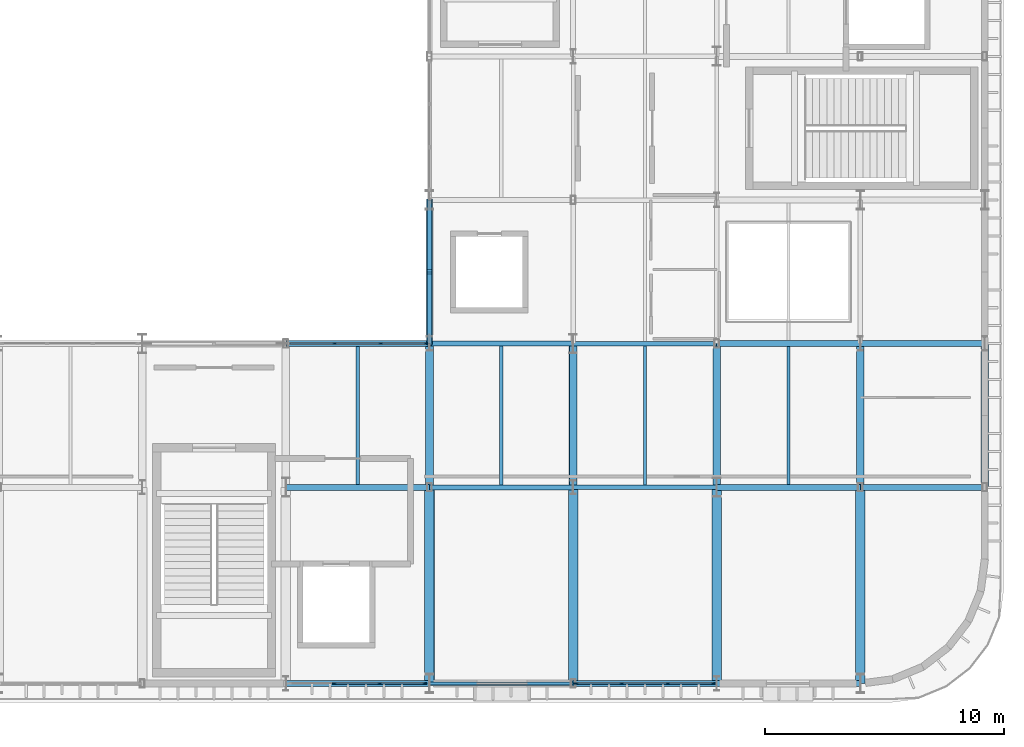
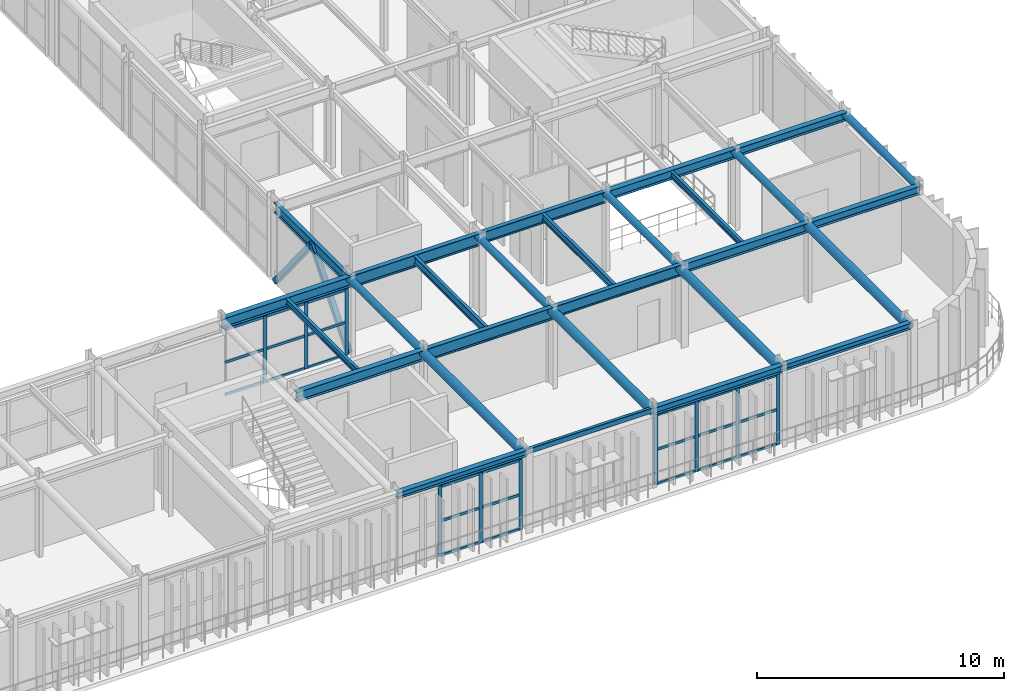
# One storey, part 72 of 116: 36 members, 28 beams, 3 elements without a shape of their own.
"""IFC4 building model written with IfcOpenShell, lengths in metres."""

from ifc_helpers import new_model, si_unit, direction, frame, origin, origin_2d, place, context, subcontext, project, spatial, rectangle, hollow_rectangle, hollow_circle, i_section, extrude, material, material_profile, profile_set, type_object, element, aggregate, save


model = new_model("IFC4")

# Units and contexts
model_context = context("Model", 3, precision=1e-05, world=origin(), true_north=direction((0.0, 1.0)))
body_context = subcontext(model_context, "Body", "Model", "MODEL_VIEW")
ifc_project = project(units=[si_unit("LENGTHUNIT", "METRE"), si_unit("AREAUNIT", "SQUARE_METRE"), si_unit("VOLUMEUNIT", "CUBIC_METRE"), si_unit("PLANEANGLEUNIT", "RADIAN"), si_unit("MASSUNIT", "GRAM", prefix="KILO")], contexts=[model_context])

# Site, building, storey
site_placement = place(None, origin())
site = spatial("IfcSite", under=ifc_project, at=site_placement, CompositionType="ELEMENT")
building_placement = place(site_placement, origin())
building = spatial("IfcBuilding", under=site, at=building_placement, Name="Varnakota Square Police Headquarters", CompositionType="ELEMENT")
storey_placement = place(building_placement, frame((0.0, 0.0, 9.300048828125)))
storey = spatial("IfcBuildingStorey", under=building, at=storey_placement, Name="L02", CompositionType="ELEMENT", Elevation=9.300048828125)

# Beams
ifc_material_1 = material(Name="Steel IS 2062 Grade 350", Category="steel")
ifc_material_profile_1 = material_profile(ifc_material_1, hollow_circle(Radius=0.161865234375, WallThickness=0.0126953125, at=origin_2d()), Name="CHS 323.9x12.7")
ifc_profile_set_1 = profile_set([ifc_material_profile_1], Name="Steel IS 2062 Grade 350")
beam_type_1 = type_object("IfcBeamType", Name="BM-ARC-CHS324", PredefinedType="BEAM", material=ifc_profile_set_1)
for number, where, z_axis, x_axis, name in (
    (1, (138.0, 9.0, 3.738037109375), (0.0, 1.0, 0.0), (-1.0, 0.0, 0.0), "BMG-L02-2268"),
    (2, (144.0, 9.0, 3.738037109375), (0.0, 1.0, 0.0), (-1.0, 0.0, 0.0), "BMG-L02-2282"),
    (3, (150.0, 9.0, 3.738037109375), (0.0, 1.0, 0.0), (-1.0, 0.0, 0.0), "BMG-L02-2296"),
    (4, (156.0, 9.0, 3.738037109375), (0.0, 1.0, 0.0), (-1.0, 0.0, 0.0), "BMG-L02-2303"),
    (5, (161.199951171875, 9.0, 3.738037109375), (0.0, 1.0, 0.0), (-1.0, 0.0, 0.0), "BMG-L02-2307"),
):
    element("IfcBeam", number, at=place(storey_placement, frame(where, z_axis=z_axis, x_axis=x_axis)), inside=storey, type_object=beam_type_1, Name=name, PredefinedType="BEAM", context=body_context, shape_type="SweptSolid", body=[
        extrude(hollow_circle(Radius=0.161865234375, WallThickness=0.0126953125, at=origin_2d()), origin(), (0.0, 0.0, 1.0), 6.0),
    ])
ifc_material_profile_2 = material_profile(ifc_material_1, hollow_circle(Radius=0.203125, WallThickness=0.01611328125, at=origin_2d()), Name="CHS 406.4x16.0")
ifc_profile_set_2 = profile_set([ifc_material_profile_2], Name="Steel IS 2062 Grade 350")
beam_type_2 = type_object("IfcBeamType", Name="BM-ARC-CHS406", PredefinedType="BEAM", material=ifc_profile_set_2)
for number, where, z_axis, x_axis, name in (
    (6, (138.0, 0.800048828125, 3.69677734375), (0.0, 1.0, 0.0), (-1.0, 0.0, 0.0), "BMG-L02-2267"),
    (7, (144.0, 0.800048828125, 3.69677734375), (0.0, 1.0, 0.0), (-1.0, 0.0, 0.0), "BMG-L02-2281"),
    (8, (150.0, 0.800048828125, 3.69677734375), (0.0, 1.0, 0.0), (-1.0, 0.0, 0.0), "BMG-L02-2295"),
    (9, (156.0, 0.800048828125, 3.69677734375), (0.0, 1.0, 0.0), (-1.0, 0.0, 0.0), "BMG-L02-2302"),
):
    element("IfcBeam", number, at=place(storey_placement, frame(where, z_axis=z_axis, x_axis=x_axis)), inside=storey, type_object=beam_type_2, Name=name, PredefinedType="BEAM", context=body_context, shape_type="SweptSolid", body=[
        extrude(hollow_circle(Radius=0.203125, WallThickness=0.01611328125, at=origin_2d()), origin(), (0.0, 0.0, 1.0), 8.199951171875),
    ])
ifc_material_profile_3 = material_profile(ifc_material_1, hollow_rectangle(XDim=0.14990234375, YDim=0.25, WallThickness=0.010009765625, InnerFilletRadius=0.010009765625, OuterFilletRadius=0.02001953125, at=origin_2d()), Name="RHS 250x150x10")
ifc_profile_set_3 = profile_set([ifc_material_profile_3], Name="Steel IS 2062 Grade 350")
beam_type_3 = type_object("IfcBeamType", Name="BM-CBEAM-RHS250", PredefinedType="BEAM", material=ifc_profile_set_3)
beam_1_placement = place(storey_placement, frame((138.0, 0.800048828125, 3.77490234375), z_axis=(1.0, 0.0, 0.0), x_axis=(0.0, 1.0, 0.0)))
element("IfcBeam", 10, at=beam_1_placement, inside=storey, type_object=beam_type_3, Name="BMG-L02-1900", PredefinedType="BEAM", context=body_context, shape_type="SweptSolid", body=[
    extrude(hollow_rectangle(XDim=0.14990234375, YDim=0.25, WallThickness=0.010009765625, InnerFilletRadius=0.010009765625, OuterFilletRadius=0.02001953125, at=origin_2d()), origin(), (0.0, 0.0, 1.0), 6.0),
])
ifc_material_profile_4 = material_profile(ifc_material_1, i_section(OverallWidth=0.25, OverallDepth=0.300048828125, WebThickness=0.009521484375, FlangeThickness=0.010498046875, FilletRadius=0.011962890625, at=origin_2d()), Name="ISHB 300")
ifc_profile_set_4 = profile_set([ifc_material_profile_4], Name="Steel IS 2062 Grade 350")
beam_type_4 = type_object("IfcBeamType", Name="BM-ISHB300", PredefinedType="BEAM", material=ifc_profile_set_4)
for number, where, z_axis, x_axis, name in (
    (11, (132.0, 0.800048828125, 3.75), (1.0, 0.0, 0.0), (0.0, 1.0, 0.0), "BMG-L02-1899"),
    (12, (150.0, 0.800048828125, 3.75), (1.0, 0.0, 0.0), (0.0, 1.0, 0.0), "BMG-L02-1902"),
):
    element("IfcBeam", number, at=place(storey_placement, frame(where, z_axis=z_axis, x_axis=x_axis)), inside=storey, type_object=beam_type_4, Name=name, PredefinedType="BEAM", context=body_context, shape_type="SweptSolid", body=[
        extrude(i_section(OverallWidth=0.25, OverallDepth=0.300048828125, WebThickness=0.009521484375, FlangeThickness=0.010498046875, FilletRadius=0.011962890625, at=origin_2d()), origin(), (0.0, 0.0, 1.0), 6.0),
    ])
ifc_material_profile_5 = material_profile(ifc_material_1, i_section(OverallWidth=0.25, OverallDepth=0.35009765625, WebThickness=0.010009765625, FlangeThickness=0.01171875, FilletRadius=0.011962890625, at=origin_2d()), Name="ISHB 350")
ifc_profile_set_5 = profile_set([ifc_material_profile_5], Name="Steel IS 2062 Grade 350")
beam_type_5 = type_object("IfcBeamType", Name="BM-ISHB350", PredefinedType="BEAM", material=ifc_profile_set_5)
beam_2_placement = place(storey_placement, frame((144.0, 0.800048828125, 3.724853515625), z_axis=(1.0, 0.0, 0.0), x_axis=(0.0, 1.0, 0.0)))
element("IfcBeam", 13, at=beam_2_placement, inside=storey, type_object=beam_type_5, Name="BMG-L02-1901", PredefinedType="BEAM", context=body_context, shape_type="SweptSolid", body=[
    extrude(i_section(OverallWidth=0.25, OverallDepth=0.35009765625, WebThickness=0.010009765625, FlangeThickness=0.01171875, FilletRadius=0.011962890625, at=origin_2d()), origin(), (0.0, 0.0, 1.0), 6.0),
])
ifc_material_profile_6 = material_profile(ifc_material_1, i_section(OverallWidth=0.25, OverallDepth=0.39990234375, WebThickness=0.010498046875, FlangeThickness=0.0126953125, FilletRadius=0.013916015625, at=origin_2d()), Name="ISHB 400")
ifc_profile_set_6 = profile_set([ifc_material_profile_6], Name="Steel IS 2062 Grade 350")
beam_type_6 = type_object("IfcBeamType", Name="BM-ISHB400", PredefinedType="BEAM", material=ifc_profile_set_6)
for number, where, z_axis, x_axis, name in (
    (14, (156.0, 9.0, 3.699951171875), (1.0, 0.0, 0.0), (0.0, 1.0, 0.0), "BMG-L02-1924"),
    (15, (156.0, 15.0, 3.699951171875), (1.0, 0.0, 0.0), (0.0, 1.0, 0.0), "BMG-L02-1940"),
):
    element("IfcBeam", number, at=place(storey_placement, frame(where, z_axis=z_axis, x_axis=x_axis)), inside=storey, type_object=beam_type_6, Name=name, PredefinedType="BEAM", context=body_context, shape_type="SweptSolid", body=[
        extrude(i_section(OverallWidth=0.25, OverallDepth=0.39990234375, WebThickness=0.010498046875, FlangeThickness=0.0126953125, FilletRadius=0.013916015625, at=origin_2d()), origin(), (0.0, 0.0, 1.0), 5.199951171875),
    ])
ifc_material_profile_7 = material_profile(ifc_material_1, i_section(OverallWidth=0.25, OverallDepth=0.449951171875, WebThickness=0.01123046875, FlangeThickness=0.013671875, FilletRadius=0.014892578125, at=origin_2d()), Name="ISHB 450")
ifc_profile_set_7 = profile_set([ifc_material_profile_7], Name="Steel IS 2062 Grade 350")
beam_type_7 = type_object("IfcBeamType", Name="BM-ISHB450", PredefinedType="BEAM", material=ifc_profile_set_7)
for number, where, z_axis, x_axis, name in (
    (16, (150.0, 9.0, 3.675048828125), (1.0, 0.0, 0.0), (0.0, 1.0, 0.0), "BMG-L02-1923"),
    (17, (150.0, 15.0, 3.675048828125), (1.0, 0.0, 0.0), (0.0, 1.0, 0.0), "BMG-L02-1939"),
):
    element("IfcBeam", number, at=place(storey_placement, frame(where, z_axis=z_axis, x_axis=x_axis)), inside=storey, type_object=beam_type_7, Name=name, PredefinedType="BEAM", context=body_context, shape_type="SweptSolid", body=[
        extrude(i_section(OverallWidth=0.25, OverallDepth=0.449951171875, WebThickness=0.01123046875, FlangeThickness=0.013671875, FilletRadius=0.014892578125, at=origin_2d()), origin(), (0.0, 0.0, 1.0), 6.0),
    ])
ifc_material_profile_8 = material_profile(ifc_material_1, i_section(OverallWidth=0.139892578125, OverallDepth=0.300048828125, WebThickness=0.0078125, FlangeThickness=0.01318359375, FilletRadius=0.013916015625, at=origin_2d()), Name="ISMB 300")
ifc_profile_set_8 = profile_set([ifc_material_profile_8], Name="Steel IS 2062 Grade 350")
beam_type_8 = type_object("IfcBeamType", Name="BM-ISMB300", PredefinedType="JOIST", material=ifc_profile_set_8)
for number, where, z_axis, x_axis, name in (
    (18, (135.0, 9.123046875, 3.75), (0.0, 1.0, 0.0), (-1.0, 0.0, 0.0), "BMG-L02-2395"),
    (19, (153.0, 9.123046875, 3.75), (0.0, 1.0, 0.0), (-1.0, 0.0, 0.0), "BMG-L02-2416"),
):
    element("IfcBeam", number, at=place(storey_placement, frame(where, z_axis=z_axis, x_axis=x_axis)), inside=storey, type_object=beam_type_8, Name=name, PredefinedType="JOIST", context=body_context, shape_type="SweptSolid", body=[
        extrude(i_section(OverallWidth=0.139892578125, OverallDepth=0.300048828125, WebThickness=0.0078125, FlangeThickness=0.01318359375, FilletRadius=0.013916015625, at=origin_2d()), origin(), (0.0, 0.0, 1.0), 5.75390625),
    ])
ifc_material_profile_9 = material_profile(ifc_material_1, i_section(OverallWidth=0.139892578125, OverallDepth=0.35009765625, WebThickness=0.008056640625, FlangeThickness=0.01416015625, FilletRadius=0.013916015625, at=origin_2d()), Name="ISMB 350")
ifc_profile_set_9 = profile_set([ifc_material_profile_9], Name="Steel IS 2062 Grade 350")
beam_type_9 = type_object("IfcBeamType", Name="BM-ISMB350", PredefinedType="JOIST", material=ifc_profile_set_9)
beam_3_placement = place(storey_placement, frame((147.0, 9.093017578125, 3.724853515625), z_axis=(0.0, 1.0, 0.0), x_axis=(-1.0, 0.0, 0.0)))
element("IfcBeam", 20, at=beam_3_placement, inside=storey, type_object=beam_type_9, Name="BMG-L02-2410", PredefinedType="JOIST", context=body_context, shape_type="SweptSolid", body=[
    extrude(i_section(OverallWidth=0.139892578125, OverallDepth=0.35009765625, WebThickness=0.008056640625, FlangeThickness=0.01416015625, FilletRadius=0.013916015625, at=origin_2d()), origin(), (0.0, 0.0, 1.0), 5.81396484375),
])
ifc_material_profile_10 = material_profile(ifc_material_1, i_section(OverallWidth=0.139892578125, OverallDepth=0.39990234375, WebThickness=0.0087890625, FlangeThickness=0.01611328125, FilletRadius=0.013916015625, at=origin_2d()), Name="ISMB 400")
ifc_profile_set_10 = profile_set([ifc_material_profile_10], Name="Steel IS 2062 Grade 350")
beam_type_10 = type_object("IfcBeamType", Name="BM-ISMB400", PredefinedType="JOIST", material=ifc_profile_set_10)
beam_4_placement = place(storey_placement, frame((141.0, 9.10302734375, 3.699951171875), z_axis=(0.0, 1.0, 0.0), x_axis=(-1.0, 0.0, 0.0)))
element("IfcBeam", 21, at=beam_4_placement, inside=storey, type_object=beam_type_10, Name="BMG-L02-2401", PredefinedType="JOIST", context=body_context, shape_type="SweptSolid", body=[
    extrude(i_section(OverallWidth=0.139892578125, OverallDepth=0.39990234375, WebThickness=0.0087890625, FlangeThickness=0.01611328125, FilletRadius=0.013916015625, at=origin_2d()), origin(), (0.0, 0.0, 1.0), 5.7939453125),
])
ifc_material_profile_11 = material_profile(ifc_material_1, i_section(OverallWidth=0.179931640625, OverallDepth=0.5, WebThickness=0.01025390625, FlangeThickness=0.01708984375, FilletRadius=0.01708984375, at=origin_2d()), Name="ISMB 500")
ifc_profile_set_11 = profile_set([ifc_material_profile_11], Name="Steel IS 2062 Grade 350")
beam_type_11 = type_object("IfcBeamType", Name="BM-ISMB500", PredefinedType="BEAM", material=ifc_profile_set_11)
beam_5_placement = place(storey_placement, frame((138.0, 15.0, 3.64990234375), z_axis=(0.0, 1.0, 0.0), x_axis=(-1.0, 0.0, 0.0)))
element("IfcBeam", 22, at=beam_5_placement, inside=storey, type_object=beam_type_11, Name="BMG-L02-2269", PredefinedType="BEAM", context=body_context, shape_type="SweptSolid", body=[
    extrude(i_section(OverallWidth=0.179931640625, OverallDepth=0.5, WebThickness=0.01025390625, FlangeThickness=0.01708984375, FilletRadius=0.01708984375, at=origin_2d()), origin(), (0.0, 0.0, 1.0), 6.0),
])
ifc_material_profile_12 = material_profile(ifc_material_1, i_section(OverallWidth=0.18994140625, OverallDepth=0.550048828125, WebThickness=0.01123046875, FlangeThickness=0.019287109375, FilletRadius=0.01806640625, at=origin_2d()), Name="ISMB 550")
ifc_profile_set_12 = profile_set([ifc_material_profile_12], Name="Steel IS 2062 Grade 350")
beam_type_12 = type_object("IfcBeamType", Name="BM-ISMB550", PredefinedType="BEAM", material=ifc_profile_set_12)
for number, where, z_axis, x_axis, name in (
    (23, (144.0, 9.0, 3.625), (1.0, 0.0, 0.0), (0.0, 1.0, 0.0), "BMG-L02-1922"),
    (24, (144.0, 15.0, 3.625), (1.0, 0.0, 0.0), (0.0, 1.0, 0.0), "BMG-L02-1938"),
):
    element("IfcBeam", number, at=place(storey_placement, frame(where, z_axis=z_axis, x_axis=x_axis)), inside=storey, type_object=beam_type_12, Name=name, PredefinedType="BEAM", context=body_context, shape_type="SweptSolid", body=[
        extrude(i_section(OverallWidth=0.18994140625, OverallDepth=0.550048828125, WebThickness=0.01123046875, FlangeThickness=0.019287109375, FilletRadius=0.01806640625, at=origin_2d()), origin(), (0.0, 0.0, 1.0), 6.0),
    ])
ifc_material_profile_13 = material_profile(ifc_material_1, i_section(OverallWidth=0.2099609375, OverallDepth=0.60009765625, WebThickness=0.011962890625, FlangeThickness=0.020751953125, FilletRadius=0.02001953125, at=origin_2d()), Name="ISMB 600")
ifc_profile_set_13 = profile_set([ifc_material_profile_13], Name="Steel IS 2062 Grade 350")
beam_type_13 = type_object("IfcBeamType", Name="BM-ISMB600", PredefinedType="BEAM", material=ifc_profile_set_13)
for number, where, z_axis, x_axis, name in (
    (25, (138.0, 9.0, 3.599853515625), (1.0, 0.0, 0.0), (0.0, 1.0, 0.0), "BMG-L02-1921"),
    (26, (138.0, 15.0, 3.599853515625), (1.0, 0.0, 0.0), (0.0, 1.0, 0.0), "BMG-L02-1937"),
):
    element("IfcBeam", number, at=place(storey_placement, frame(where, z_axis=z_axis, x_axis=x_axis)), inside=storey, type_object=beam_type_13, Name=name, PredefinedType="BEAM", context=body_context, shape_type="SweptSolid", body=[
        extrude(i_section(OverallWidth=0.2099609375, OverallDepth=0.60009765625, WebThickness=0.011962890625, FlangeThickness=0.020751953125, FilletRadius=0.02001953125, at=origin_2d()), origin(), (0.0, 0.0, 1.0), 6.0),
    ])
ifc_material_profile_14 = material_profile(ifc_material_1, i_section(OverallWidth=0.25, OverallDepth=0.5, WebThickness=0.010009765625, FlangeThickness=0.0146484375, FilletRadius=0.014892578125, at=origin_2d()), Name="ISWB 500")
ifc_profile_set_14 = profile_set([ifc_material_profile_14], Name="Steel IS 2062 Grade 350")
beam_type_14 = type_object("IfcBeamType", Name="BM-ISWB500", PredefinedType="BEAM", material=ifc_profile_set_14)
for number, where, z_axis, x_axis, name in (
    (27, (132.0, 9.0, 3.64990234375), (1.0, 0.0, 0.0), (0.0, 1.0, 0.0), "BMG-L02-1920"),
    (28, (132.0, 15.0, 3.64990234375), (1.0, 0.0, 0.0), (0.0, 1.0, 0.0), "BMG-L02-1936"),
):
    element("IfcBeam", number, at=place(storey_placement, frame(where, z_axis=z_axis, x_axis=x_axis)), inside=storey, type_object=beam_type_14, Name=name, PredefinedType="BEAM", context=body_context, shape_type="SweptSolid", body=[
        extrude(i_section(OverallWidth=0.25, OverallDepth=0.5, WebThickness=0.010009765625, FlangeThickness=0.0146484375, FilletRadius=0.014892578125, at=origin_2d()), origin(), (0.0, 0.0, 1.0), 6.0),
    ])

# Curtain wall, members
ifc_material_2 = material(Name="Anodised Aluminium Framing", Category="aluminium")
curtain_wall_type_1 = type_object("IfcCurtainWallType", Name="CW-SYS-B", PredefinedType="NOTDEFINED", material=ifc_material_2)
curtain_wall_1_placement = place(storey_placement, origin())
curtain_wall_1 = element("IfcCurtainWall", 29, at=curtain_wall_1_placement, inside=storey, type_object=curtain_wall_type_1, Name="Unitised curtain wall CWG-L02-067", PredefinedType="NOTDEFINED")
ifc_material_3 = material(Name="Anodised Aluminium 6063-T6", Category="aluminium")
ifc_material_profile_15 = material_profile(ifc_material_3, rectangle(XDim=0.06494140625, YDim=0.159912109375, at=origin_2d()), Name="ALU MULLION 65x160")
ifc_profile_set_15 = profile_set([ifc_material_profile_15], Name="Anodised Aluminium 6063-T6")
member_type_1 = type_object("IfcMemberType", Name="CWM-150", PredefinedType="MULLION", material=ifc_profile_set_15)
member_1_placement = place(storey_placement, frame((134.018310546875, 0.800048828125, 0.0), z_axis=(0.0, 0.0, 1.0), x_axis=(0.0, 1.0, 0.0)))
member_1 = element("IfcMember", 30, at=member_1_placement, type_object=member_type_1, Name="CWG-L02-067 mullion 2", PredefinedType="MULLION", context=body_context, shape_type="SweptSolid", body=[
    extrude(rectangle(XDim=0.06494140625, YDim=0.159912109375, at=origin_2d()), origin(), (0.0, 0.0, 1.0), 3.483642578125),
])
member_2_placement = place(storey_placement, frame((135.9267578125, 0.800048828125, 0.0), z_axis=(0.0, 0.0, 1.0), x_axis=(0.0, 1.0, 0.0)))
member_2 = element("IfcMember", 31, at=member_2_placement, type_object=member_type_1, Name="CWG-L02-067 mullion 3", PredefinedType="MULLION", context=body_context, shape_type="SweptSolid", body=[
    extrude(rectangle(XDim=0.06494140625, YDim=0.159912109375, at=origin_2d()), origin(), (0.0, 0.0, 1.0), 3.483642578125),
])
member_3_placement = place(storey_placement, frame((137.802490234375, 0.800048828125, 0.0), z_axis=(0.0, 0.0, 1.0), x_axis=(0.0, 1.0, 0.0)))
member_3 = element("IfcMember", 32, at=member_3_placement, type_object=member_type_1, Name="CWG-L02-067 mullion 4", PredefinedType="MULLION", context=body_context, shape_type="SweptSolid", body=[
    extrude(rectangle(XDim=0.06494140625, YDim=0.159912109375, at=origin_2d()), origin(), (0.0, 0.0, 1.0), 3.483642578125),
])

curtain_wall_2_placement = place(storey_placement, origin())
curtain_wall_2 = element("IfcCurtainWall", 33, at=curtain_wall_2_placement, inside=storey, type_object=curtain_wall_type_1, Name="Unitised curtain wall CWG-L02-068", PredefinedType="NOTDEFINED")
member_4_placement = place(storey_placement, frame((144.137451171875, 0.800048828125, 0.0), z_axis=(0.0, 0.0, 1.0), x_axis=(0.0, 1.0, 0.0)))
member_4 = element("IfcMember", 34, at=member_4_placement, type_object=member_type_1, Name="CWG-L02-068 mullion 1", PredefinedType="MULLION", context=body_context, shape_type="SweptSolid", body=[
    extrude(rectangle(XDim=0.06494140625, YDim=0.159912109375, at=origin_2d()), origin(), (0.0, 0.0, 1.0), 3.483642578125),
])
member_5_placement = place(storey_placement, frame((146.033447265625, 0.800048828125, 0.0), z_axis=(0.0, 0.0, 1.0), x_axis=(0.0, 1.0, 0.0)))
member_5 = element("IfcMember", 35, at=member_5_placement, type_object=member_type_1, Name="CWG-L02-068 mullion 2", PredefinedType="MULLION", context=body_context, shape_type="SweptSolid", body=[
    extrude(rectangle(XDim=0.06494140625, YDim=0.159912109375, at=origin_2d()), origin(), (0.0, 0.0, 1.0), 3.483642578125),
])
member_6_placement = place(storey_placement, frame((147.961669921875, 0.800048828125, 0.0), z_axis=(0.0, 0.0, 1.0), x_axis=(0.0, 1.0, 0.0)))
member_6 = element("IfcMember", 36, at=member_6_placement, type_object=member_type_1, Name="CWG-L02-068 mullion 3", PredefinedType="MULLION", context=body_context, shape_type="SweptSolid", body=[
    extrude(rectangle(XDim=0.06494140625, YDim=0.159912109375, at=origin_2d()), origin(), (0.0, 0.0, 1.0), 3.483642578125),
])
member_7_placement = place(storey_placement, frame((149.857421875, 0.800048828125, 0.0), z_axis=(0.0, 0.0, 1.0), x_axis=(0.0, 1.0, 0.0)))
member_7 = element("IfcMember", 37, at=member_7_placement, type_object=member_type_1, Name="CWG-L02-068 mullion 4", PredefinedType="MULLION", context=body_context, shape_type="SweptSolid", body=[
    extrude(rectangle(XDim=0.06494140625, YDim=0.159912109375, at=origin_2d()), origin(), (0.0, 0.0, 1.0), 3.483642578125),
])

curtain_wall_type_2 = type_object("IfcCurtainWallType", Name="CW-SYS-D", PredefinedType="NOTDEFINED", material=ifc_material_2)
curtain_wall_3_placement = place(storey_placement, origin())
curtain_wall_3 = element("IfcCurtainWall", 38, at=curtain_wall_3_placement, inside=storey, type_object=curtain_wall_type_2, Name="Unitised curtain wall CWG-L02-072", PredefinedType="NOTDEFINED")
member_8_placement = place(storey_placement, frame((134.033447265625, 15.0, 0.0), z_axis=(0.0, 0.0, 1.0), x_axis=(0.0, 1.0, 0.0)))
member_8 = element("IfcMember", 39, at=member_8_placement, type_object=member_type_1, Name="CWG-L02-072 mullion 2", PredefinedType="MULLION", context=body_context, shape_type="SweptSolid", body=[
    extrude(rectangle(XDim=0.06494140625, YDim=0.159912109375, at=origin_2d()), origin(), (0.0, 0.0, 1.0), 3.2900390625),
])
member_9_placement = place(storey_placement, frame((135.961669921875, 15.0, 0.0), z_axis=(0.0, 0.0, 1.0), x_axis=(0.0, 1.0, 0.0)))
member_9 = element("IfcMember", 40, at=member_9_placement, type_object=member_type_1, Name="CWG-L02-072 mullion 3", PredefinedType="MULLION", context=body_context, shape_type="SweptSolid", body=[
    extrude(rectangle(XDim=0.06494140625, YDim=0.159912109375, at=origin_2d()), origin(), (0.0, 0.0, 1.0), 3.2900390625),
])
member_10_placement = place(storey_placement, frame((137.857421875, 15.0, 0.0), z_axis=(0.0, 0.0, 1.0), x_axis=(0.0, 1.0, 0.0)))
member_10 = element("IfcMember", 41, at=member_10_placement, type_object=member_type_1, Name="CWG-L02-072 mullion 4", PredefinedType="MULLION", context=body_context, shape_type="SweptSolid", body=[
    extrude(rectangle(XDim=0.06494140625, YDim=0.159912109375, at=origin_2d()), origin(), (0.0, 0.0, 1.0), 3.2900390625),
])

# Member
ifc_material_profile_16 = material_profile(ifc_material_3, rectangle(XDim=0.06494140625, YDim=0.1298828125, at=origin_2d()), Name="ALU TRANSOM 65x130")
ifc_profile_set_16 = profile_set([ifc_material_profile_16], Name="Anodised Aluminium 6063-T6")
member_type_2 = type_object("IfcMemberType", Name="CWT-120", PredefinedType="USERDEFINED", material=ifc_profile_set_16)
member_11_placement = place(storey_placement, frame((134.05078125, 0.800048828125, 0.032470703125), z_axis=(1.0, 0.0, 0.0), x_axis=(0.0, 1.0, 0.0)))
member_11 = element("IfcMember", 42, at=member_11_placement, type_object=member_type_2, Name="CWG-L02-067 transom 2.1", ObjectType="TRANSOM", PredefinedType="USERDEFINED", context=body_context, shape_type="SweptSolid", body=[
    extrude(rectangle(XDim=0.06494140625, YDim=0.1298828125, at=origin_2d()), origin(), (0.0, 0.0, 1.0), 1.843505859375),
])

member_12_placement = place(storey_placement, frame((134.05078125, 0.800048828125, 1.74169921875), z_axis=(1.0, 0.0, 0.0), x_axis=(0.0, 1.0, 0.0)))
member_12 = element("IfcMember", 43, at=member_12_placement, type_object=member_type_2, Name="CWG-L02-067 transom 2.2", ObjectType="TRANSOM", PredefinedType="USERDEFINED", context=body_context, shape_type="SweptSolid", body=[
    extrude(rectangle(XDim=0.06494140625, YDim=0.1298828125, at=origin_2d()), origin(), (0.0, 0.0, 1.0), 1.843505859375),
])

member_13_placement = place(storey_placement, frame((134.05078125, 0.800048828125, 3.451171875), z_axis=(1.0, 0.0, 0.0), x_axis=(0.0, 1.0, 0.0)))
member_13 = element("IfcMember", 44, at=member_13_placement, type_object=member_type_2, Name="CWG-L02-067 transom 2.3", ObjectType="TRANSOM", PredefinedType="USERDEFINED", context=body_context, shape_type="SweptSolid", body=[
    extrude(rectangle(XDim=0.06494140625, YDim=0.1298828125, at=origin_2d()), origin(), (0.0, 0.0, 1.0), 1.843505859375),
])

member_14_placement = place(storey_placement, frame((135.959228515625, 0.800048828125, 0.032470703125), z_axis=(1.0, 0.0, 0.0), x_axis=(0.0, 1.0, 0.0)))
member_14 = element("IfcMember", 45, at=member_14_placement, type_object=member_type_2, Name="CWG-L02-067 transom 3.1", ObjectType="TRANSOM", PredefinedType="USERDEFINED", context=body_context, shape_type="SweptSolid", body=[
    extrude(rectangle(XDim=0.06494140625, YDim=0.1298828125, at=origin_2d()), origin(), (0.0, 0.0, 1.0), 1.810791015625),
])

member_15_placement = place(storey_placement, frame((135.959228515625, 0.800048828125, 1.74169921875), z_axis=(1.0, 0.0, 0.0), x_axis=(0.0, 1.0, 0.0)))
member_15 = element("IfcMember", 46, at=member_15_placement, type_object=member_type_2, Name="CWG-L02-067 transom 3.2", ObjectType="TRANSOM", PredefinedType="USERDEFINED", context=body_context, shape_type="SweptSolid", body=[
    extrude(rectangle(XDim=0.06494140625, YDim=0.1298828125, at=origin_2d()), origin(), (0.0, 0.0, 1.0), 1.810791015625),
])

member_16_placement = place(storey_placement, frame((135.959228515625, 0.800048828125, 3.451171875), z_axis=(1.0, 0.0, 0.0), x_axis=(0.0, 1.0, 0.0)))
member_16 = element("IfcMember", 47, at=member_16_placement, type_object=member_type_2, Name="CWG-L02-067 transom 3.3", ObjectType="TRANSOM", PredefinedType="USERDEFINED", context=body_context, shape_type="SweptSolid", body=[
    extrude(rectangle(XDim=0.06494140625, YDim=0.1298828125, at=origin_2d()), origin(), (0.0, 0.0, 1.0), 1.810791015625),
])

aggregate(curtain_wall_1, [member_1, member_2, member_3, member_11, member_12, member_13, member_14, member_15, member_16])

member_17_placement = place(storey_placement, frame((144.169921875, 0.800048828125, 0.032470703125), z_axis=(1.0, 0.0, 0.0), x_axis=(0.0, 1.0, 0.0)))
member_17 = element("IfcMember", 48, at=member_17_placement, type_object=member_type_2, Name="CWG-L02-068 transom 1.1", ObjectType="TRANSOM", PredefinedType="USERDEFINED", context=body_context, shape_type="SweptSolid", body=[
    extrude(rectangle(XDim=0.06494140625, YDim=0.1298828125, at=origin_2d()), origin(), (0.0, 0.0, 1.0), 1.830810546875),
])

member_18_placement = place(storey_placement, frame((144.169921875, 0.800048828125, 1.74169921875), z_axis=(1.0, 0.0, 0.0), x_axis=(0.0, 1.0, 0.0)))
member_18 = element("IfcMember", 49, at=member_18_placement, type_object=member_type_2, Name="CWG-L02-068 transom 1.2", ObjectType="TRANSOM", PredefinedType="USERDEFINED", context=body_context, shape_type="SweptSolid", body=[
    extrude(rectangle(XDim=0.06494140625, YDim=0.1298828125, at=origin_2d()), origin(), (0.0, 0.0, 1.0), 1.830810546875),
])

member_19_placement = place(storey_placement, frame((144.169921875, 0.800048828125, 3.451171875), z_axis=(1.0, 0.0, 0.0), x_axis=(0.0, 1.0, 0.0)))
member_19 = element("IfcMember", 50, at=member_19_placement, type_object=member_type_2, Name="CWG-L02-068 transom 1.3", ObjectType="TRANSOM", PredefinedType="USERDEFINED", context=body_context, shape_type="SweptSolid", body=[
    extrude(rectangle(XDim=0.06494140625, YDim=0.1298828125, at=origin_2d()), origin(), (0.0, 0.0, 1.0), 1.830810546875),
])

member_20_placement = place(storey_placement, frame((146.06591796875, 0.800048828125, 0.032470703125), z_axis=(1.0, 0.0, 0.0), x_axis=(0.0, 1.0, 0.0)))
member_20 = element("IfcMember", 51, at=member_20_placement, type_object=member_type_2, Name="CWG-L02-068 transom 2.1", ObjectType="TRANSOM", PredefinedType="USERDEFINED", context=body_context, shape_type="SweptSolid", body=[
    extrude(rectangle(XDim=0.06494140625, YDim=0.1298828125, at=origin_2d()), origin(), (0.0, 0.0, 1.0), 1.86328125),
])

member_21_placement = place(storey_placement, frame((146.06591796875, 0.800048828125, 1.74169921875), z_axis=(1.0, 0.0, 0.0), x_axis=(0.0, 1.0, 0.0)))
member_21 = element("IfcMember", 52, at=member_21_placement, type_object=member_type_2, Name="CWG-L02-068 transom 2.2", ObjectType="TRANSOM", PredefinedType="USERDEFINED", context=body_context, shape_type="SweptSolid", body=[
    extrude(rectangle(XDim=0.06494140625, YDim=0.1298828125, at=origin_2d()), origin(), (0.0, 0.0, 1.0), 1.86328125),
])

member_22_placement = place(storey_placement, frame((146.06591796875, 0.800048828125, 3.451171875), z_axis=(1.0, 0.0, 0.0), x_axis=(0.0, 1.0, 0.0)))
member_22 = element("IfcMember", 53, at=member_22_placement, type_object=member_type_2, Name="CWG-L02-068 transom 2.3", ObjectType="TRANSOM", PredefinedType="USERDEFINED", context=body_context, shape_type="SweptSolid", body=[
    extrude(rectangle(XDim=0.06494140625, YDim=0.1298828125, at=origin_2d()), origin(), (0.0, 0.0, 1.0), 1.86328125),
])

member_23_placement = place(storey_placement, frame((147.994140625, 0.800048828125, 0.032470703125), z_axis=(1.0, 0.0, 0.0), x_axis=(0.0, 1.0, 0.0)))
member_23 = element("IfcMember", 54, at=member_23_placement, type_object=member_type_2, Name="CWG-L02-068 transom 3.1", ObjectType="TRANSOM", PredefinedType="USERDEFINED", context=body_context, shape_type="SweptSolid", body=[
    extrude(rectangle(XDim=0.06494140625, YDim=0.1298828125, at=origin_2d()), origin(), (0.0, 0.0, 1.0), 1.830810546875),
])

member_24_placement = place(storey_placement, frame((147.994140625, 0.800048828125, 1.74169921875), z_axis=(1.0, 0.0, 0.0), x_axis=(0.0, 1.0, 0.0)))
member_24 = element("IfcMember", 55, at=member_24_placement, type_object=member_type_2, Name="CWG-L02-068 transom 3.2", ObjectType="TRANSOM", PredefinedType="USERDEFINED", context=body_context, shape_type="SweptSolid", body=[
    extrude(rectangle(XDim=0.06494140625, YDim=0.1298828125, at=origin_2d()), origin(), (0.0, 0.0, 1.0), 1.830810546875),
])

member_25_placement = place(storey_placement, frame((147.994140625, 0.800048828125, 3.451171875), z_axis=(1.0, 0.0, 0.0), x_axis=(0.0, 1.0, 0.0)))
member_25 = element("IfcMember", 56, at=member_25_placement, type_object=member_type_2, Name="CWG-L02-068 transom 3.3", ObjectType="TRANSOM", PredefinedType="USERDEFINED", context=body_context, shape_type="SweptSolid", body=[
    extrude(rectangle(XDim=0.06494140625, YDim=0.1298828125, at=origin_2d()), origin(), (0.0, 0.0, 1.0), 1.830810546875),
])

aggregate(curtain_wall_2, [member_4, member_5, member_6, member_7, member_17, member_18, member_19, member_20, member_21, member_22, member_23, member_24, member_25])

member_26_placement = place(storey_placement, frame((132.169921875, 15.0, 0.032470703125), z_axis=(1.0, 0.0, 0.0), x_axis=(0.0, 1.0, 0.0)))
member_26 = element("IfcMember", 57, at=member_26_placement, type_object=member_type_2, Name="CWG-L02-072 transom 1.1", ObjectType="TRANSOM", PredefinedType="USERDEFINED", context=body_context, shape_type="SweptSolid", body=[
    extrude(rectangle(XDim=0.06494140625, YDim=0.1298828125, at=origin_2d()), origin(), (0.0, 0.0, 1.0), 1.830810546875),
])

member_27_placement = place(storey_placement, frame((132.169921875, 15.0, 1.64501953125), z_axis=(1.0, 0.0, 0.0), x_axis=(0.0, 1.0, 0.0)))
member_27 = element("IfcMember", 58, at=member_27_placement, type_object=member_type_2, Name="CWG-L02-072 transom 1.2", ObjectType="TRANSOM", PredefinedType="USERDEFINED", context=body_context, shape_type="SweptSolid", body=[
    extrude(rectangle(XDim=0.06494140625, YDim=0.1298828125, at=origin_2d()), origin(), (0.0, 0.0, 1.0), 1.830810546875),
])

member_28_placement = place(storey_placement, frame((132.169921875, 15.0, 3.257568359375), z_axis=(1.0, 0.0, 0.0), x_axis=(0.0, 1.0, 0.0)))
member_28 = element("IfcMember", 59, at=member_28_placement, type_object=member_type_2, Name="CWG-L02-072 transom 1.3", ObjectType="TRANSOM", PredefinedType="USERDEFINED", context=body_context, shape_type="SweptSolid", body=[
    extrude(rectangle(XDim=0.06494140625, YDim=0.1298828125, at=origin_2d()), origin(), (0.0, 0.0, 1.0), 1.830810546875),
])

member_29_placement = place(storey_placement, frame((134.06591796875, 15.0, 0.032470703125), z_axis=(1.0, 0.0, 0.0), x_axis=(0.0, 1.0, 0.0)))
member_29 = element("IfcMember", 60, at=member_29_placement, type_object=member_type_2, Name="CWG-L02-072 transom 2.1", ObjectType="TRANSOM", PredefinedType="USERDEFINED", context=body_context, shape_type="SweptSolid", body=[
    extrude(rectangle(XDim=0.06494140625, YDim=0.1298828125, at=origin_2d()), origin(), (0.0, 0.0, 1.0), 1.86328125),
])

member_30_placement = place(storey_placement, frame((134.06591796875, 15.0, 1.64501953125), z_axis=(1.0, 0.0, 0.0), x_axis=(0.0, 1.0, 0.0)))
member_30 = element("IfcMember", 61, at=member_30_placement, type_object=member_type_2, Name="CWG-L02-072 transom 2.2", ObjectType="TRANSOM", PredefinedType="USERDEFINED", context=body_context, shape_type="SweptSolid", body=[
    extrude(rectangle(XDim=0.06494140625, YDim=0.1298828125, at=origin_2d()), origin(), (0.0, 0.0, 1.0), 1.86328125),
])

member_31_placement = place(storey_placement, frame((134.06591796875, 15.0, 3.257568359375), z_axis=(1.0, 0.0, 0.0), x_axis=(0.0, 1.0, 0.0)))
member_31 = element("IfcMember", 62, at=member_31_placement, type_object=member_type_2, Name="CWG-L02-072 transom 2.3", ObjectType="TRANSOM", PredefinedType="USERDEFINED", context=body_context, shape_type="SweptSolid", body=[
    extrude(rectangle(XDim=0.06494140625, YDim=0.1298828125, at=origin_2d()), origin(), (0.0, 0.0, 1.0), 1.86328125),
])

member_32_placement = place(storey_placement, frame((135.994140625, 15.0, 0.032470703125), z_axis=(1.0, 0.0, 0.0), x_axis=(0.0, 1.0, 0.0)))
member_32 = element("IfcMember", 63, at=member_32_placement, type_object=member_type_2, Name="CWG-L02-072 transom 3.1", ObjectType="TRANSOM", PredefinedType="USERDEFINED", context=body_context, shape_type="SweptSolid", body=[
    extrude(rectangle(XDim=0.06494140625, YDim=0.1298828125, at=origin_2d()), origin(), (0.0, 0.0, 1.0), 1.830810546875),
])

member_33_placement = place(storey_placement, frame((135.994140625, 15.0, 1.64501953125), z_axis=(1.0, 0.0, 0.0), x_axis=(0.0, 1.0, 0.0)))
member_33 = element("IfcMember", 64, at=member_33_placement, type_object=member_type_2, Name="CWG-L02-072 transom 3.2", ObjectType="TRANSOM", PredefinedType="USERDEFINED", context=body_context, shape_type="SweptSolid", body=[
    extrude(rectangle(XDim=0.06494140625, YDim=0.1298828125, at=origin_2d()), origin(), (0.0, 0.0, 1.0), 1.830810546875),
])

member_34_placement = place(storey_placement, frame((135.994140625, 15.0, 3.257568359375), z_axis=(1.0, 0.0, 0.0), x_axis=(0.0, 1.0, 0.0)))
member_34 = element("IfcMember", 65, at=member_34_placement, type_object=member_type_2, Name="CWG-L02-072 transom 3.3", ObjectType="TRANSOM", PredefinedType="USERDEFINED", context=body_context, shape_type="SweptSolid", body=[
    extrude(rectangle(XDim=0.06494140625, YDim=0.1298828125, at=origin_2d()), origin(), (0.0, 0.0, 1.0), 1.830810546875),
])

aggregate(curtain_wall_3, [member_8, member_9, member_10, member_26, member_27, member_28, member_29, member_30, member_31, member_32, member_33, member_34])

# Members
ifc_material_profile_17 = material_profile(ifc_material_1, hollow_rectangle(XDim=0.25, YDim=0.25, WallThickness=0.011962890625, InnerFilletRadius=0.011962890625, OuterFilletRadius=0.02392578125, at=origin_2d()), Name="SHS 250x250x12")
ifc_profile_set_17 = profile_set([ifc_material_profile_17], Name="Steel IS 2062 Grade 350")
member_type_3 = type_object("IfcMemberType", Name="MEM-BR-SHS250", PredefinedType="BRACE", material=ifc_profile_set_17)
for number, where, z_axis, x_axis, name in (
    (66, (138.0, 15.050048828125, 0.02001953125), (0.0, 0.630679081609, 0.776043746203), (-1.0, 0.0, 0.0), "Lateral brace BF2 L02 left"),
    (67, (138.0, 20.949951171875, 0.02001953125), (0.0, -0.630679081609, 0.776043746203), (1.0, 0.0, 0.0), "Lateral brace BF2 L02 right"),
):
    element("IfcMember", number, at=place(storey_placement, frame(where, z_axis=z_axis, x_axis=x_axis)), inside=storey, type_object=member_type_3, Name=name, PredefinedType="BRACE", context=body_context, shape_type="SweptSolid", body=[
        extrude(hollow_rectangle(XDim=0.25, YDim=0.25, WallThickness=0.011962890625, InnerFilletRadius=0.011962890625, OuterFilletRadius=0.02392578125, at=origin_2d()), origin(), (0.0, 0.0, 1.0), 4.677490234375),
    ])

save(model, "model.ifc")
